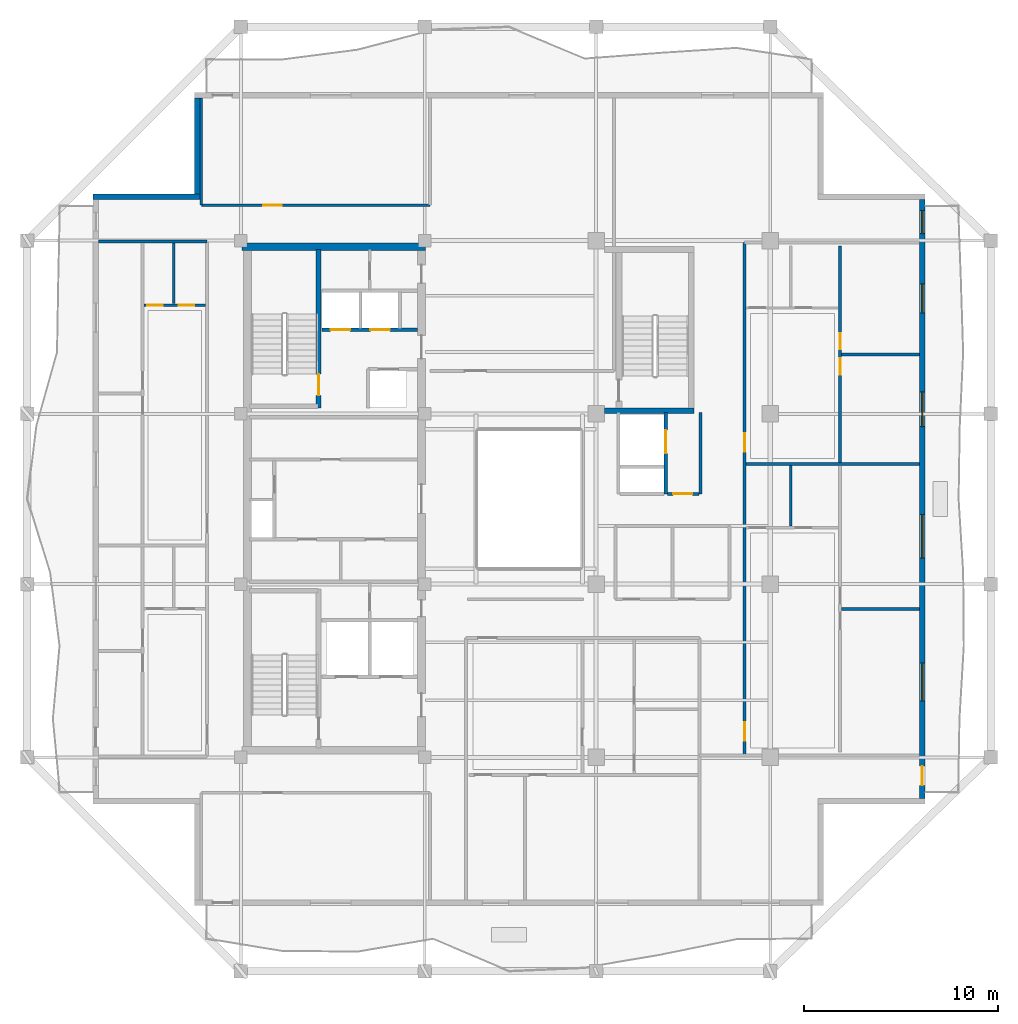
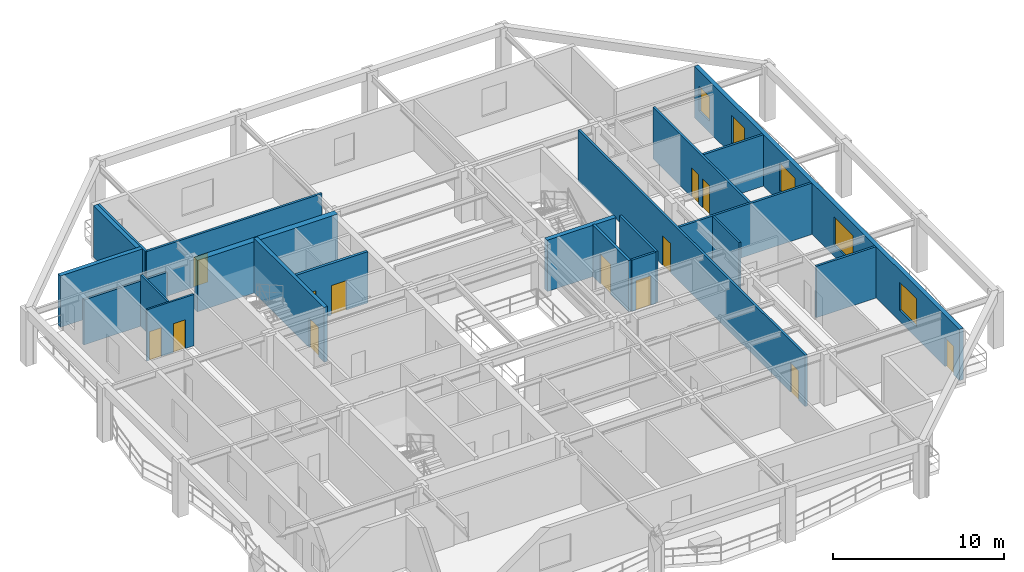
# One storey, part 5 of 12: 21 walls, 13 doors, 5 windows, 18 openings.
"""IFC4 building model written with IfcOpenShell, lengths in metres."""

from ifc_helpers import new_model, si_unit, direction, frame, frame_2d, origin, place, context, subcontext, project, spatial, rectangle, extrude, material, layer, layer_set, type_object, element, fill, save


model = new_model("IFC4")

# Units and contexts
model_context = context("Model", 3, precision=1e-05, world=origin(), true_north=direction((0.0, 1.0)))
body_context = subcontext(model_context, "Body", "Model", "MODEL_VIEW")
ifc_project = project(units=[si_unit("LENGTHUNIT", "METRE"), si_unit("AREAUNIT", "SQUARE_METRE"), si_unit("VOLUMEUNIT", "CUBIC_METRE"), si_unit("PLANEANGLEUNIT", "RADIAN"), si_unit("MASSUNIT", "GRAM", prefix="KILO")], contexts=[model_context])

# Site, building, storey
site_placement = place(None, origin())
site = spatial("IfcSite", under=ifc_project, at=site_placement, CompositionType="ELEMENT")
building_placement = place(site_placement, origin())
building = spatial("IfcBuilding", under=site, at=building_placement, Name="Kundavana Baori Tower", CompositionType="ELEMENT")
storey_placement = place(building_placement, frame((0.0, 0.0, 237.5)))
storey = spatial("IfcBuildingStorey", under=building, at=storey_placement, Name="L58", CompositionType="ELEMENT", Elevation=237.5)

# Wall
ifc_material_1 = material(Name="Concrete C50/60", Category="concrete")
ifc_layer_1 = layer(ifc_material_1, 0.39990234375, Name="WL-CORE-400")
ifc_layer_set_1 = layer_set([ifc_layer_1], Name="Concrete C50/60")
wall_type_1 = type_object("IfcWallType", Name="WL-CORE-400", PredefinedType="SHEAR", material=ifc_layer_set_1)
wall_1_placement = place(storey_placement, frame((15.5, 41.639892578125, 0.0), z_axis=(0.0, 0.0, 1.0), x_axis=(1.0, 0.0, 0.0)))
element("IfcWall", 1, at=wall_1_placement, inside=storey, type_object=wall_type_1, Name="L58 Offset Core North Shear Wall", PredefinedType="SHEAR", context=body_context, shape_type="SweptSolid", body=[
    extrude(rectangle(XDim=9.47998046875, YDim=0.39990234375, at=frame_2d((4.739990234375, 0.0))), origin(), (0.0, 0.0, 1.0), 3.659912109375),
])

# Wall, opening, door
wall_2_placement = place(storey_placement, frame((19.4599609375, 33.300048828125, 0.0), z_axis=(0.0, 0.0, 1.0), x_axis=(0.0, 1.0, 0.0)))
wall_2 = element("IfcWall", 2, at=wall_2_placement, inside=storey, type_object=wall_type_1, Name="WL-L58-ST2-E", PredefinedType="SHEAR", context=body_context, shape_type="SweptSolid", body=[
    extrude(rectangle(XDim=8.179931640625, YDim=0.239990234375, at=frame_2d((4.08984375, 0.0))), origin(), (0.0, 0.0, 1.0), 3.89990234375),
])
opening_1_placement = place(wall_2_placement, frame((0.64990234375, 0.0, 0.0)))
opening_1 = element("IfcOpeningElement", 3, at=opening_1_placement, cuts=wall_2, Name="Opening FD-110", PredefinedType="OPENING", context=body_context, shape_type="SweptSolid", body=[
    extrude(rectangle(XDim=1.10009765625, YDim=2.10009765625, at=frame_2d((0.550048828125, 1.050048828125))), frame((0.0, 0.1298828125, 0.0), z_axis=(0.0, -1.0, 0.0), x_axis=(1.0, 0.0, 0.0)), (0.0, 0.0, 1.0), 0.260009765625),
])
ifc_material_2 = material(Name="Galvanised Steel Fire-Rated Door Leaf", Category="steel")
door_type_1 = type_object("IfcDoorType", Name="DR-FD120-1100", OperationType="NOTDEFINED", PredefinedType="DOOR", material=ifc_material_2)
door_1_placement = place(opening_1_placement, origin())
door_1 = element("IfcDoor", 4, at=door_1_placement, inside=storey, type_object=door_type_1, Name="DR-L58-ST2", OperationType="SINGLE_SWING_RIGHT", OverallHeight=2.10009765625, OverallWidth=1.10009765625, PredefinedType="DOOR", context=body_context, shape_type="SweptSolid", body=[
    extrude(rectangle(XDim=1.10009765625, YDim=2.10009765625, at=frame_2d((0.550048828125, 1.050048828125))), frame((0.0, 0.02490234375, 0.0), z_axis=(0.0, -1.0, 0.0), x_axis=(1.0, 0.0, 0.0)), (0.0, 0.0, 1.0), 0.050048828125),
])
fill(opening_1, door_1)

# Wall, openings, door, windows
ifc_material_3 = material(Name="Red-Buff Dholpur Sandstone Cladding on Concrete C40/50", Category="masonry")
ifc_layer_2 = layer(ifc_material_3, 0.280029296875, Name="WL-EXT-SAND-280")
ifc_layer_set_2 = layer_set([ifc_layer_2], Name="Red-Buff Dholpur Sandstone Cladding on Concrete C40/50")
wall_type_2 = type_object("IfcWallType", Name="WL-EXT-SAND-280", PredefinedType="STANDARD", material=ifc_layer_set_2)
wall_3_placement = place(storey_placement, frame((50.659912109375, 13.1298828125, 0.0), z_axis=(0.0, 0.0, 1.0), x_axis=(0.0, 1.0, 0.0)))
wall_3 = element("IfcWall", 5, at=wall_3_placement, inside=storey, type_object=wall_type_2, Name="L58 Exterior Insulated Facade Wall 04", PredefinedType="STANDARD", context=body_context, shape_type="SweptSolid", body=[
    extrude(rectangle(XDim=30.940185546875, YDim=0.280029296875, at=frame_2d((15.47021484375, 0.0))), origin(), (0.0, 0.0, 1.0), 3.659912109375),
])
opening_2_placement = place(wall_3_placement, frame((0.669921875, 0.0, 0.0)))
opening_2 = element("IfcOpeningElement", 6, at=opening_2_placement, cuts=wall_3, Name="Opening BD-1", PredefinedType="OPENING", context=body_context, shape_type="SweptSolid", body=[
    extrude(rectangle(XDim=1.0, YDim=2.050048828125, at=frame_2d((0.5, 1.02490234375))), frame((0.0, 0.14990234375, 0.0), z_axis=(0.0, -1.0, 0.0), x_axis=(1.0, 0.0, 0.0)), (0.0, 0.0, 1.0), 0.300048828125),
])
opening_3_placement = place(wall_3_placement, frame((5.031982421875, 0.0, 0.800048828125)))
opening_3 = element("IfcOpeningElement", 7, at=opening_3_placement, cuts=wall_3, Name="Opening W-09", PredefinedType="OPENING", context=body_context, shape_type="SweptSolid", body=[
    extrude(rectangle(XDim=1.949951171875, YDim=2.0, at=frame_2d((0.97509765625, 1.0))), frame((0.0, 0.14990234375, 0.0), z_axis=(0.0, -1.0, 0.0), x_axis=(1.0, 0.0, 0.0)), (0.0, 0.0, 1.0), 0.300048828125),
])
opening_4_placement = place(wall_3_placement, frame((12.407958984375, 0.0, 0.800048828125)))
opening_4 = element("IfcOpeningElement", 8, at=opening_4_placement, cuts=wall_3, Name="Opening W-10", PredefinedType="OPENING", context=body_context, shape_type="SweptSolid", body=[
    extrude(rectangle(XDim=2.25, YDim=2.0, at=frame_2d((1.125, 1.0))), frame((0.0, 0.14990234375, 0.0), z_axis=(0.0, -1.0, 0.0), x_axis=(1.0, 0.0, 0.0)), (0.0, 0.0, 1.0), 0.300048828125),
])
opening_5_placement = place(wall_3_placement, frame((19.20703125, 0.0, 0.800048828125)))
opening_5 = element("IfcOpeningElement", 9, at=opening_5_placement, cuts=wall_3, Name="Opening W-01", PredefinedType="OPENING", context=body_context, shape_type="SweptSolid", body=[
    extrude(rectangle(XDim=1.800048828125, YDim=2.0, at=frame_2d((0.89990234375, 1.0))), frame((0.0, 0.14990234375, 0.0), z_axis=(0.0, -1.0, 0.0), x_axis=(1.0, 0.0, 0.0)), (0.0, 0.0, 1.0), 0.300048828125),
])
opening_6_placement = place(wall_3_placement, frame((25.08203125, 0.0, 0.800048828125)))
opening_6 = element("IfcOpeningElement", 10, at=opening_6_placement, cuts=wall_3, Name="Opening W-02", PredefinedType="OPENING", context=body_context, shape_type="SweptSolid", body=[
    extrude(rectangle(XDim=1.5, YDim=2.0, at=frame_2d((0.75, 1.0))), frame((0.0, 0.14990234375, 0.0), z_axis=(0.0, -1.0, 0.0), x_axis=(1.0, 0.0, 0.0)), (0.0, 0.0, 1.0), 0.300048828125),
])
opening_7_placement = place(wall_3_placement, frame((29.175048828125, 0.0, 0.800048828125)))
opening_7 = element("IfcOpeningElement", 11, at=opening_7_placement, cuts=wall_3, Name="Opening W-03", PredefinedType="OPENING", context=body_context, shape_type="SweptSolid", body=[
    extrude(rectangle(XDim=1.199951171875, YDim=1.75, at=frame_2d((0.60009765625, 0.875))), frame((0.0, 0.14990234375, 0.0), z_axis=(0.0, -1.0, 0.0), x_axis=(1.0, 0.0, 0.0)), (0.0, 0.0, 1.0), 0.300048828125),
])
ifc_material_4 = material(Name="Architectural Patinated Bronze Metalwork")
door_type_2 = type_object("IfcDoorType", Name="DR-EXT-LOG-1000", OperationType="NOTDEFINED", PredefinedType="DOOR", material=ifc_material_4)
door_2_placement = place(opening_2_placement, frame((1.0, 0.0, 0.0), z_axis=(0.0, 0.0, 1.0), x_axis=(-1.0, 0.0, 0.0)))
door_2 = element("IfcDoor", 12, at=door_2_placement, inside=storey, type_object=door_type_2, Name="L58 Loggia Balcony Access Door E", OperationType="SINGLE_SWING_RIGHT", OverallHeight=2.050048828125, OverallWidth=1.0, PredefinedType="DOOR", context=body_context, shape_type="SweptSolid", body=[
    extrude(rectangle(XDim=1.0, YDim=2.050048828125, at=frame_2d((0.5, 1.02490234375))), frame((0.0, 0.02490234375, 0.0), z_axis=(0.0, -1.0, 0.0), x_axis=(1.0, 0.0, 0.0)), (0.0, 0.0, 1.0), 0.050048828125),
])
fill(opening_2, door_2)
ifc_material_5 = material(Name="Double-Glazed Solar-Control Low-E Insulated Glass", Category="glass")
window_type_1 = type_object("IfcWindowType", Name="WIN-LOG-1200x1750", PartitioningType="SINGLE_PANEL", PredefinedType="WINDOW", material=ifc_material_5)
window_1_placement = place(opening_7_placement, origin())
window_1 = element("IfcWindow", 13, at=window_1_placement, inside=storey, type_object=window_type_1, Name="L58 Recessed Loggia Window E-6", OverallHeight=1.75, OverallWidth=1.199951171875, PartitioningType="SINGLE_PANEL", PredefinedType="WINDOW", context=body_context, shape_type="SweptSolid", body=[
    extrude(rectangle(XDim=1.199951171875, YDim=1.75, at=frame_2d((0.60009765625, 0.875))), frame((0.0, 0.030029296875, 0.0), z_axis=(0.0, -1.0, 0.0), x_axis=(1.0, 0.0, 0.0)), (0.0, 0.0, 1.0), 0.06005859375),
])
fill(opening_7, window_1)
ifc_material_6 = material(Name="Double-Glazed Solar-Control Low-E Insulated Glass", Category="glass")
window_type_2 = type_object("IfcWindowType", Name="WIN-LOG-1500x2000", PartitioningType="SINGLE_PANEL", PredefinedType="WINDOW", material=ifc_material_6)
window_2_placement = place(opening_6_placement, origin())
window_2 = element("IfcWindow", 14, at=window_2_placement, inside=storey, type_object=window_type_2, Name="L58 Recessed Loggia Window E-5", OverallHeight=2.0, OverallWidth=1.5, PartitioningType="SINGLE_PANEL", PredefinedType="WINDOW", context=body_context, shape_type="SweptSolid", body=[
    extrude(rectangle(XDim=1.5, YDim=2.0, at=frame_2d((0.75, 1.0))), frame((0.0, 0.030029296875, 0.0), z_axis=(0.0, -1.0, 0.0), x_axis=(1.0, 0.0, 0.0)), (0.0, 0.0, 1.0), 0.06005859375),
])
fill(opening_6, window_2)
ifc_material_7 = material(Name="Double-Glazed Solar-Control Low-E Insulated Glass", Category="glass")
window_type_3 = type_object("IfcWindowType", Name="WIN-LOG-1800x2000", PartitioningType="SINGLE_PANEL", PredefinedType="WINDOW", material=ifc_material_7)
window_3_placement = place(opening_5_placement, origin())
window_3 = element("IfcWindow", 15, at=window_3_placement, inside=storey, type_object=window_type_3, Name="L58 Recessed Loggia Window E-4", OverallHeight=2.0, OverallWidth=1.800048828125, PartitioningType="SINGLE_PANEL", PredefinedType="WINDOW", context=body_context, shape_type="SweptSolid", body=[
    extrude(rectangle(XDim=1.800048828125, YDim=2.0, at=frame_2d((0.89990234375, 1.0))), frame((0.0, 0.030029296875, 0.0), z_axis=(0.0, -1.0, 0.0), x_axis=(1.0, 0.0, 0.0)), (0.0, 0.0, 1.0), 0.06005859375),
])
fill(opening_5, window_3)
ifc_material_8 = material(Name="Double-Glazed Solar-Control Low-E Insulated Glass", Category="glass")
window_type_4 = type_object("IfcWindowType", Name="WIN-LOG-1950x2000", PartitioningType="SINGLE_PANEL", PredefinedType="WINDOW", material=ifc_material_8)
window_4_placement = place(opening_3_placement, origin())
window_4 = element("IfcWindow", 16, at=window_4_placement, inside=storey, type_object=window_type_4, Name="L58 Recessed Loggia Window E-2", OverallHeight=2.0, OverallWidth=1.949951171875, PartitioningType="SINGLE_PANEL", PredefinedType="WINDOW", context=body_context, shape_type="SweptSolid", body=[
    extrude(rectangle(XDim=1.949951171875, YDim=2.0, at=frame_2d((0.97509765625, 1.0))), frame((0.0, 0.030029296875, 0.0), z_axis=(0.0, -1.0, 0.0), x_axis=(1.0, 0.0, 0.0)), (0.0, 0.0, 1.0), 0.06005859375),
])
fill(opening_3, window_4)
ifc_material_9 = material(Name="Double-Glazed Solar-Control Low-E Insulated Glass", Category="glass")
window_type_5 = type_object("IfcWindowType", Name="WIN-LOG-2250x2000", PartitioningType="SINGLE_PANEL", PredefinedType="WINDOW", material=ifc_material_9)
window_5_placement = place(opening_4_placement, origin())
window_5 = element("IfcWindow", 17, at=window_5_placement, inside=storey, type_object=window_type_5, Name="L58 Recessed Loggia Window E-3", OverallHeight=2.0, OverallWidth=2.25, PartitioningType="SINGLE_PANEL", PredefinedType="WINDOW", context=body_context, shape_type="SweptSolid", body=[
    extrude(rectangle(XDim=2.25, YDim=2.0, at=frame_2d((1.125, 1.0))), frame((0.0, 0.030029296875, 0.0), z_axis=(0.0, -1.0, 0.0), x_axis=(1.0, 0.0, 0.0)), (0.0, 0.0, 1.0), 0.06005859375),
])
fill(opening_4, window_5)

# Walls
wall_4_placement = place(storey_placement, frame((13.18994140625, 49.320068359375, 0.0), z_axis=(0.0, 0.0, 1.0), x_axis=(0.0, -1.0, 0.0)))
element("IfcWall", 18, at=wall_4_placement, inside=storey, type_object=wall_type_2, Name="L58 Exterior Insulated Facade Wall 08", PredefinedType="STANDARD", context=body_context, shape_type="SweptSolid", body=[
    extrude(rectangle(XDim=4.969970703125, YDim=0.280029296875, at=frame_2d((2.48486328125, 0.0))), origin(), (0.0, 0.0, 1.0), 3.659912109375),
])
wall_5_placement = place(storey_placement, frame((13.330078125, 44.2099609375, 0.0), z_axis=(0.0, 0.0, 1.0), x_axis=(-1.0, 0.0, 0.0)))
element("IfcWall", 19, at=wall_5_placement, inside=storey, type_object=wall_type_2, Name="L58 Exterior Insulated Facade Wall 09", PredefinedType="STANDARD", context=body_context, shape_type="SweptSolid", body=[
    extrude(rectangle(XDim=5.530029296875, YDim=0.280029296875, at=frame_2d((2.76513671875, 0.0))), origin(), (0.0, 0.0, 1.0), 3.659912109375),
])
ifc_material_10 = material(Name="Fire-Rated Gypsum Drywall on Galvanised Steel Studs", Category="steel")
ifc_layer_3 = layer(ifc_material_10, 0.14990234375, Name="WL-PART-150")
ifc_layer_set_3 = layer_set([ifc_layer_3], Name="Fire-Rated Gypsum Drywall on Galvanised Steel Studs")
wall_type_3 = type_object("IfcWallType", Name="WL-PART-150", PredefinedType="PARTITIONING", material=ifc_layer_set_3)
wall_6_placement = place(storey_placement, frame((39.199951171875, 28.860107421875, 0.0), z_axis=(0.0, 0.0, 1.0), x_axis=(0.0, 1.0, 0.0)))
element("IfcWall", 20, at=wall_6_placement, inside=storey, type_object=wall_type_3, Name="WL-L58-SVLOB-E", PredefinedType="PARTITIONING", context=body_context, shape_type="SweptSolid", body=[
    extrude(rectangle(XDim=4.219970703125, YDim=0.14990234375, at=frame_2d((2.10986328125, 0.0))), origin(), (0.0, 0.0, 1.0), 3.659912109375),
])

# Wall, opening, door
wall_7_placement = place(storey_placement, frame((37.47998046875, 28.860107421875, 0.0), z_axis=(0.0, 0.0, 1.0), x_axis=(1.0, 0.0, 0.0)))
wall_7 = element("IfcWall", 21, at=wall_7_placement, inside=storey, type_object=wall_type_3, Name="WL-L58-SVLOB-S", PredefinedType="PARTITIONING", context=body_context, shape_type="SweptSolid", body=[
    extrude(rectangle(XDim=1.64013671875, YDim=0.14990234375, at=frame_2d((0.820068359375, 0.0))), origin(), (0.0, 0.0, 1.0), 3.659912109375),
])
opening_8_placement = place(wall_7_placement, frame((0.300048828125, 0.0, 0.0)))
opening_8 = element("IfcOpeningElement", 22, at=opening_8_placement, cuts=wall_7, Name="Opening FD-100", PredefinedType="OPENING", context=body_context, shape_type="SweptSolid", body=[
    extrude(rectangle(XDim=1.0, YDim=2.10009765625, at=frame_2d((0.5, 1.050048828125))), frame((0.0, 0.0849609375, 0.0), z_axis=(0.0, -1.0, 0.0), x_axis=(1.0, 0.0, 0.0)), (0.0, 0.0, 1.0), 0.169921875),
])
ifc_material_11 = material(Name="Engineered Teak Fire-Rated Timber Door Leaf", Category="wood")
door_type_3 = type_object("IfcDoorType", Name="DR-FD60-1000", OperationType="NOTDEFINED", PredefinedType="DOOR", material=ifc_material_11)
door_3_placement = place(opening_8_placement, origin())
door_3 = element("IfcDoor", 23, at=door_3_placement, inside=storey, type_object=door_type_3, Name="DR-L58-SVLOB-OUT", OperationType="SINGLE_SWING_LEFT", OverallHeight=2.10009765625, OverallWidth=1.0, PredefinedType="DOOR", context=body_context, shape_type="SweptSolid", body=[
    extrude(rectangle(XDim=1.0, YDim=2.10009765625, at=frame_2d((0.5, 1.050048828125))), frame((0.0, 0.02490234375, 0.0), z_axis=(0.0, -1.0, 0.0), x_axis=(1.0, 0.0, 0.0)), (0.0, 0.0, 1.0), 0.050048828125),
])
fill(opening_8, door_3)

wall_8_placement = place(storey_placement, frame((13.39990234375, 43.780029296875, 0.0), z_axis=(0.0, 0.0, 1.0), x_axis=(1.0, 0.0, 0.0)))
wall_8 = element("IfcWall", 24, at=wall_8_placement, inside=storey, type_object=wall_type_3, Name="WL-L58-RNC", PredefinedType="PARTITIONING", context=body_context, shape_type="SweptSolid", body=[
    extrude(rectangle(XDim=11.820068359375, YDim=0.14990234375, at=frame_2d((5.91015625, 0.0))), origin(), (0.0, 0.0, 1.0), 3.659912109375),
])
opening_9_placement = place(wall_8_placement, frame((3.199951171875, 0.0, 0.0)))
opening_9 = element("IfcOpeningElement", 25, at=opening_9_placement, cuts=wall_8, Name="Opening ID-095", PredefinedType="OPENING", context=body_context, shape_type="SweptSolid", body=[
    extrude(rectangle(XDim=0.949951171875, YDim=2.080078125, at=frame_2d((0.47509765625, 1.0400390625))), frame((0.0, 0.0849609375, 0.0), z_axis=(0.0, -1.0, 0.0), x_axis=(1.0, 0.0, 0.0)), (0.0, 0.0, 1.0), 0.169921875),
])
ifc_material_12 = material(Name="Engineered Teak Solid-Core Timber Veneer", Category="wood")
door_type_4 = type_object("IfcDoorType", Name="DR-INT-950", OperationType="NOTDEFINED", PredefinedType="DOOR", material=ifc_material_12)
door_4_placement = place(opening_9_placement, origin())
door_4 = element("IfcDoor", 26, at=door_4_placement, inside=storey, type_object=door_type_4, Name="DR-L58-RMNW", OperationType="SINGLE_SWING_RIGHT", OverallHeight=2.080078125, OverallWidth=0.949951171875, PredefinedType="DOOR", context=body_context, shape_type="SweptSolid", body=[
    extrude(rectangle(XDim=0.949951171875, YDim=2.080078125, at=frame_2d((0.47509765625, 1.0400390625))), frame((0.0, 0.02490234375, 0.0), z_axis=(0.0, -1.0, 0.0), x_axis=(1.0, 0.0, 0.0)), (0.0, 0.0, 1.0), 0.050048828125),
])
fill(opening_9, door_4)

# Walls
wall_9_placement = place(storey_placement, frame((13.39990234375, 43.780029296875, 0.0), z_axis=(0.0, 0.0, 1.0), x_axis=(0.0, 1.0, 0.0)))
element("IfcWall", 27, at=wall_9_placement, inside=storey, type_object=wall_type_3, Name="WL-L58-RNCW", PredefinedType="PARTITIONING", context=body_context, shape_type="SweptSolid", body=[
    extrude(rectangle(XDim=5.5400390625, YDim=0.14990234375, at=frame_2d((2.77001953125, 0.0))), origin(), (0.0, 0.0, 1.0), 3.659912109375),
])
wall_10_placement = place(storey_placement, frame((8.080078125, 41.89990234375, 0.0), z_axis=(0.0, 0.0, 1.0), x_axis=(1.0, 0.0, 0.0)))
element("IfcWall", 28, at=wall_10_placement, inside=storey, type_object=wall_type_3, Name="WL-L58-RWN", PredefinedType="PARTITIONING", context=body_context, shape_type="SweptSolid", body=[
    extrude(rectangle(XDim=5.619873046875, YDim=0.14990234375, at=frame_2d((2.81005859375, 0.0))), origin(), (0.0, 0.0, 1.0), 3.2099609375),
])

# Wall, openings, doors
wall_11_placement = place(storey_placement, frame((41.47998046875, 15.35009765625, 0.0), z_axis=(0.0, 0.0, 1.0), x_axis=(0.0, 1.0, 0.0)))
wall_11 = element("IfcWall", 29, at=wall_11_placement, inside=storey, type_object=wall_type_3, Name="WL-L58-RE", PredefinedType="PARTITIONING", context=body_context, shape_type="SweptSolid", body=[
    extrude(rectangle(XDim=26.5, YDim=0.14990234375, at=frame_2d((13.25, 0.0))), origin(), (0.0, 0.0, 1.0), 3.659912109375),
])
opening_10_placement = place(wall_11_placement, frame((0.75, 0.0, 0.0)))
opening_10 = element("IfcOpeningElement", 30, at=opening_10_placement, cuts=wall_11, Name="Opening FD-095", PredefinedType="OPENING", context=body_context, shape_type="SweptSolid", body=[
    extrude(rectangle(XDim=0.949951171875, YDim=2.10009765625, at=frame_2d((0.47509765625, 1.050048828125))), frame((0.0, 0.0849609375, 0.0), z_axis=(0.0, -1.0, 0.0), x_axis=(1.0, 0.0, 0.0)), (0.0, 0.0, 1.0), 0.169921875),
])
opening_11_placement = place(wall_11_placement, frame((15.699951171875, 0.0, 0.0)))
opening_11 = element("IfcOpeningElement", 31, at=opening_11_placement, cuts=wall_11, Name="Opening FD-095", PredefinedType="OPENING", context=body_context, shape_type="SweptSolid", body=[
    extrude(rectangle(XDim=0.949951171875, YDim=2.10009765625, at=frame_2d((0.47509765625, 1.050048828125))), frame((0.0, 0.0849609375, 0.0), z_axis=(0.0, -1.0, 0.0), x_axis=(1.0, 0.0, 0.0)), (0.0, 0.0, 1.0), 0.169921875),
])
ifc_material_13 = material(Name="Engineered Teak Fire-Rated Timber Door Leaf", Category="wood")
door_type_5 = type_object("IfcDoorType", Name="DR-FD60-950", OperationType="NOTDEFINED", PredefinedType="DOOR", material=ifc_material_13)
door_5_placement = place(opening_10_placement, origin())
door_5 = element("IfcDoor", 32, at=door_5_placement, inside=storey, type_object=door_type_5, Name="DR-L58-E1-ENT", OperationType="SINGLE_SWING_LEFT", OverallHeight=2.10009765625, OverallWidth=0.949951171875, PredefinedType="DOOR", context=body_context, shape_type="SweptSolid", body=[
    extrude(rectangle(XDim=0.949951171875, YDim=2.10009765625, at=frame_2d((0.47509765625, 1.050048828125))), frame((0.0, 0.02490234375, 0.0), z_axis=(0.0, -1.0, 0.0), x_axis=(1.0, 0.0, 0.0)), (0.0, 0.0, 1.0), 0.050048828125),
])
fill(opening_10, door_5)
door_6_placement = place(opening_11_placement, origin())
door_6 = element("IfcDoor", 33, at=door_6_placement, inside=storey, type_object=door_type_5, Name="DR-L58-E2-ENT", OperationType="SINGLE_SWING_LEFT", OverallHeight=2.10009765625, OverallWidth=0.949951171875, PredefinedType="DOOR", context=body_context, shape_type="SweptSolid", body=[
    extrude(rectangle(XDim=0.949951171875, YDim=2.10009765625, at=frame_2d((0.47509765625, 1.050048828125))), frame((0.0, 0.02490234375, 0.0), z_axis=(0.0, -1.0, 0.0), x_axis=(1.0, 0.0, 0.0)), (0.0, 0.0, 1.0), 0.050048828125),
])
fill(opening_11, door_6)

# Walls
wall_12_placement = place(storey_placement, frame((46.488037109375, 22.925048828125, 0.0), z_axis=(0.0, 0.0, 1.0), x_axis=(1.0, 0.0, 0.0)))
element("IfcWall", 34, at=wall_12_placement, inside=storey, type_object=wall_type_3, Name="WL-L58-E1-BDH", PredefinedType="PARTITIONING", context=body_context, shape_type="SweptSolid", body=[
    extrude(rectangle(XDim=4.031982421875, YDim=0.14990234375, at=frame_2d((2.01611328125, 0.0))), origin(), (0.0, 0.0, 1.0), 3.659912109375),
])
wall_13_placement = place(storey_placement, frame((41.56005859375, 30.39990234375, 0.0), z_axis=(0.0, 0.0, 1.0), x_axis=(1.0, 0.0, 0.0)))
element("IfcWall", 35, at=wall_13_placement, inside=storey, type_object=wall_type_3, Name="WL-L58-RED1", PredefinedType="PARTITIONING", context=body_context, shape_type="SweptSolid", body=[
    extrude(rectangle(XDim=8.9599609375, YDim=0.14990234375, at=frame_2d((4.47998046875, 0.0))), origin(), (0.0, 0.0, 1.0), 3.659912109375),
])

# Wall, openings, doors
wall_14_placement = place(storey_placement, frame((46.407958984375, 30.47998046875, 0.0), z_axis=(0.0, 0.0, 1.0), x_axis=(0.0, 1.0, 0.0)))
wall_14 = element("IfcWall", 36, at=wall_14_placement, inside=storey, type_object=wall_type_3, Name="WL-L58-E2-VT", PredefinedType="PARTITIONING", context=body_context, shape_type="SweptSolid", body=[
    extrude(rectangle(XDim=11.18994140625, YDim=0.14990234375, at=frame_2d((5.594970703125, 0.0))), origin(), (0.0, 0.0, 1.0), 3.659912109375),
])
opening_12_placement = place(wall_14_placement, frame((4.544921875, 0.0, 0.0)))
opening_12 = element("IfcOpeningElement", 37, at=opening_12_placement, cuts=wall_14, Name="Opening ID-085", PredefinedType="OPENING", context=body_context, shape_type="SweptSolid", body=[
    extrude(rectangle(XDim=0.85009765625, YDim=2.080078125, at=frame_2d((0.425048828125, 1.0400390625))), frame((0.0, 0.0849609375, 0.0), z_axis=(0.0, -1.0, 0.0), x_axis=(1.0, 0.0, 0.0)), (0.0, 0.0, 1.0), 0.169921875),
])
opening_13_placement = place(wall_14_placement, frame((5.844970703125, 0.0, 0.0)))
opening_13 = element("IfcOpeningElement", 38, at=opening_13_placement, cuts=wall_14, Name="Opening ID-085", PredefinedType="OPENING", context=body_context, shape_type="SweptSolid", body=[
    extrude(rectangle(XDim=0.85009765625, YDim=2.080078125, at=frame_2d((0.425048828125, 1.0400390625))), frame((0.0, 0.0849609375, 0.0), z_axis=(0.0, -1.0, 0.0), x_axis=(1.0, 0.0, 0.0)), (0.0, 0.0, 1.0), 0.169921875),
])
ifc_material_14 = material(Name="Engineered Teak Solid-Core Timber Veneer", Category="wood")
door_type_6 = type_object("IfcDoorType", Name="DR-INT-850", OperationType="NOTDEFINED", PredefinedType="DOOR", material=ifc_material_14)
door_7_placement = place(opening_12_placement, origin())
door_7 = element("IfcDoor", 39, at=door_7_placement, inside=storey, type_object=door_type_6, Name="DR-L58-E2-B1", OperationType="SINGLE_SWING_LEFT", OverallHeight=2.080078125, OverallWidth=0.85009765625, PredefinedType="DOOR", context=body_context, shape_type="SweptSolid", body=[
    extrude(rectangle(XDim=0.85009765625, YDim=2.080078125, at=frame_2d((0.425048828125, 1.0400390625))), frame((0.0, 0.02490234375, 0.0), z_axis=(0.0, -1.0, 0.0), x_axis=(1.0, 0.0, 0.0)), (0.0, 0.0, 1.0), 0.050048828125),
])
fill(opening_12, door_7)
door_8_placement = place(opening_13_placement, origin())
door_8 = element("IfcDoor", 40, at=door_8_placement, inside=storey, type_object=door_type_6, Name="DR-L58-E2-B2", OperationType="SINGLE_SWING_RIGHT", OverallHeight=2.080078125, OverallWidth=0.85009765625, PredefinedType="DOOR", context=body_context, shape_type="SweptSolid", body=[
    extrude(rectangle(XDim=0.85009765625, YDim=2.080078125, at=frame_2d((0.425048828125, 1.0400390625))), frame((0.0, 0.02490234375, 0.0), z_axis=(0.0, -1.0, 0.0), x_axis=(1.0, 0.0, 0.0)), (0.0, 0.0, 1.0), 0.050048828125),
])
fill(opening_13, door_8)

# Wall
wall_15_placement = place(storey_placement, frame((46.488037109375, 36.074951171875, 0.0), z_axis=(0.0, 0.0, 1.0), x_axis=(1.0, 0.0, 0.0)))
element("IfcWall", 41, at=wall_15_placement, inside=storey, type_object=wall_type_3, Name="WL-L58-E2-BDH", PredefinedType="PARTITIONING", context=body_context, shape_type="SweptSolid", body=[
    extrude(rectangle(XDim=4.031982421875, YDim=0.14990234375, at=frame_2d((2.01611328125, 0.0))), origin(), (0.0, 0.0, 1.0), 3.659912109375),
])

# Wall, openings, doors
ifc_material_15 = material(Name="Autoclaved Aerated Concrete Blockwork Masonry", Category="masonry")
ifc_layer_4 = layer(ifc_material_15, 0.179931640625, Name="WL-SHAFT-180")
ifc_layer_set_4 = layer_set([ifc_layer_4], Name="Autoclaved Aerated Concrete Blockwork Masonry")
wall_type_4 = type_object("IfcWallType", Name="WL-SHAFT-180", PredefinedType="SOLIDWALL", material=ifc_layer_set_4)
wall_16_placement = place(storey_placement, frame((19.639892578125, 37.340087890625, 0.0), z_axis=(0.0, 0.0, 1.0), x_axis=(1.0, 0.0, 0.0)))
wall_16 = element("IfcWall", 42, at=wall_16_placement, inside=storey, type_object=wall_type_4, Name="WL-L58-HRLOB-N", PredefinedType="SOLIDWALL", context=body_context, shape_type="SweptSolid", body=[
    extrude(rectangle(XDim=4.940185546875, YDim=0.179931640625, at=frame_2d((2.47021484375, 0.0))), origin(), (0.0, 0.0, 1.0), 3.659912109375),
])
opening_14_placement = place(wall_16_placement, frame((0.449951171875, 0.0, 0.0)))
opening_14 = element("IfcOpeningElement", 43, at=opening_14_placement, cuts=wall_16, Name="Opening LD-100", PredefinedType="OPENING", context=body_context, shape_type="SweptSolid", body=[
    extrude(rectangle(XDim=1.0, YDim=2.10009765625, at=frame_2d((0.5, 1.050048828125))), frame((0.0, 0.10009765625, 0.0), z_axis=(0.0, -1.0, 0.0), x_axis=(1.0, 0.0, 0.0)), (0.0, 0.0, 1.0), 0.199951171875),
])
opening_15_placement = place(wall_16_placement, frame((2.5, 0.0, 0.0)))
opening_15 = element("IfcOpeningElement", 44, at=opening_15_placement, cuts=wall_16, Name="Opening LD-100", PredefinedType="OPENING", context=body_context, shape_type="SweptSolid", body=[
    extrude(rectangle(XDim=1.0, YDim=2.10009765625, at=frame_2d((0.5, 1.050048828125))), frame((0.0, 0.10009765625, 0.0), z_axis=(0.0, -1.0, 0.0), x_axis=(1.0, 0.0, 0.0)), (0.0, 0.0, 1.0), 0.199951171875),
])
ifc_material_16 = material(Name="Galvanised Steel Fire-Rated Door Leaf", Category="steel")
door_type_7 = type_object("IfcDoorType", Name="DR-SLIDE-LD1000", OperationType="NOTDEFINED", PredefinedType="DOOR", material=ifc_material_16)
door_9_placement = place(opening_14_placement, frame((1.0, 0.0, 0.0), z_axis=(0.0, 0.0, 1.0), x_axis=(-1.0, 0.0, 0.0)))
door_9 = element("IfcDoor", 45, at=door_9_placement, inside=storey, type_object=door_type_7, Name="DR-L58-LD-LP09", OperationType="DOUBLE_DOOR_SLIDING", OverallHeight=2.10009765625, OverallWidth=1.0, PredefinedType="DOOR", context=body_context, shape_type="SweptSolid", body=[
    extrude(rectangle(XDim=1.0, YDim=2.10009765625, at=frame_2d((0.5, 1.050048828125))), frame((0.0, 0.02490234375, 0.0), z_axis=(0.0, -1.0, 0.0), x_axis=(1.0, 0.0, 0.0)), (0.0, 0.0, 1.0), 0.050048828125),
])
fill(opening_14, door_9)
door_10_placement = place(opening_15_placement, frame((1.0, 0.0, 0.0), z_axis=(0.0, 0.0, 1.0), x_axis=(-1.0, 0.0, 0.0)))
door_10 = element("IfcDoor", 46, at=door_10_placement, inside=storey, type_object=door_type_7, Name="DR-L58-LD-LP10", OperationType="DOUBLE_DOOR_SLIDING", OverallHeight=2.10009765625, OverallWidth=1.0, PredefinedType="DOOR", context=body_context, shape_type="SweptSolid", body=[
    extrude(rectangle(XDim=1.0, YDim=2.10009765625, at=frame_2d((0.5, 1.050048828125))), frame((0.0, 0.02490234375, 0.0), z_axis=(0.0, -1.0, 0.0), x_axis=(1.0, 0.0, 0.0)), (0.0, 0.0, 1.0), 0.050048828125),
])
fill(opening_15, door_10)

# Wall, opening, door
wall_17_placement = place(storey_placement, frame((37.389892578125, 28.860107421875, 0.0), z_axis=(0.0, 0.0, 1.0), x_axis=(0.0, 1.0, 0.0)))
wall_17 = element("IfcWall", 47, at=wall_17_placement, inside=storey, type_object=wall_type_4, Name="WL-L58-SVL-E", PredefinedType="SOLIDWALL", context=body_context, shape_type="SweptSolid", body=[
    extrude(rectangle(XDim=4.219970703125, YDim=0.179931640625, at=frame_2d((2.10986328125, 0.0))), origin(), (0.0, 0.0, 1.0), 3.659912109375),
])
opening_16_placement = place(wall_17_placement, frame((2.10009765625, 0.0, 0.0)))
opening_16 = element("IfcOpeningElement", 48, at=opening_16_placement, cuts=wall_17, Name="Opening LD-120", PredefinedType="OPENING", context=body_context, shape_type="SweptSolid", body=[
    extrude(rectangle(XDim=1.199951171875, YDim=2.1201171875, at=frame_2d((0.60009765625, 1.06005859375))), frame((0.0, 0.10009765625, 0.0), z_axis=(0.0, -1.0, 0.0), x_axis=(1.0, 0.0, 0.0)), (0.0, 0.0, 1.0), 0.199951171875),
])
ifc_material_17 = material(Name="Galvanised Steel Fire-Rated Door Leaf", Category="steel")
door_type_8 = type_object("IfcDoorType", Name="DR-SLIDE-LD1200", OperationType="NOTDEFINED", PredefinedType="DOOR", material=ifc_material_17)
door_11_placement = place(opening_16_placement, frame((1.199951171875, 0.0, 0.0), z_axis=(0.0, 0.0, 1.0), x_axis=(-1.0, 0.0, 0.0)))
door_11 = element("IfcDoor", 49, at=door_11_placement, inside=storey, type_object=door_type_8, Name="DR-L58-LD-SVL1", OperationType="DOUBLE_DOOR_SLIDING", OverallHeight=2.1201171875, OverallWidth=1.199951171875, PredefinedType="DOOR", context=body_context, shape_type="SweptSolid", body=[
    extrude(rectangle(XDim=1.199951171875, YDim=2.1201171875, at=frame_2d((0.60009765625, 1.06005859375))), frame((0.0, 0.02490234375, 0.0), z_axis=(0.0, -1.0, 0.0), x_axis=(1.0, 0.0, 0.0)), (0.0, 0.0, 1.0), 0.050048828125),
])
fill(opening_16, door_11)

# Wall
ifc_material_18 = material(Name="Concrete C50/60", Category="concrete")
ifc_layer_5 = layer(ifc_material_18, 0.300048828125, Name="WL-ST3-300")
ifc_layer_set_5 = layer_set([ifc_layer_5], Name="Concrete C50/60")
wall_type_5 = type_object("IfcWallType", Name="WL-ST3-300", PredefinedType="SHEAR", material=ifc_layer_set_5)
wall_18_placement = place(storey_placement, frame((34.22509765625, 33.159912109375, 0.0), z_axis=(0.0, 0.0, 1.0), x_axis=(1.0, 0.0, 0.0)))
element("IfcWall", 50, at=wall_18_placement, inside=storey, type_object=wall_type_5, Name="L58 Stair ST3 South Shear Wall", PredefinedType="SHEAR", context=body_context, shape_type="SweptSolid", body=[
    extrude(rectangle(XDim=4.64501953125, YDim=0.300048828125, at=frame_2d((2.322509765625, 0.0))), origin(), (0.0, 0.0, 1.0), 3.659912109375),
])

# Wall, openings, doors
ifc_material_19 = material(Name="Autoclaved Aerated Concrete Blockwork Masonry", Category="masonry")
ifc_layer_6 = layer(ifc_material_19, 0.125, Name="WL-WET-120")
ifc_layer_set_6 = layer_set([ifc_layer_6], Name="Autoclaved Aerated Concrete Blockwork Masonry")
wall_type_6 = type_object("IfcWallType", Name="WL-WET-120", PredefinedType="PLUMBINGWALL", material=ifc_layer_set_6)
wall_19_placement = place(storey_placement, frame((10.449951171875, 38.6201171875, 0.0), z_axis=(0.0, 0.0, 1.0), x_axis=(1.0, 0.0, 0.0)))
wall_19 = element("IfcWall", 51, at=wall_19_placement, inside=storey, type_object=wall_type_6, Name="WL-L58-W2-KH", PredefinedType="PLUMBINGWALL", context=body_context, shape_type="SweptSolid", body=[
    extrude(rectangle(XDim=3.170166015625, YDim=0.125, at=frame_2d((1.5849609375, 0.0))), origin(), (0.0, 0.0, 1.0), 3.659912109375),
])
opening_17_placement = place(wall_19_placement, frame((0.159912109375, 0.0, 0.0)))
opening_17 = element("IfcOpeningElement", 52, at=opening_17_placement, cuts=wall_19, Name="Opening WD-080", PredefinedType="OPENING", context=body_context, shape_type="SweptSolid", body=[
    extrude(rectangle(XDim=0.800048828125, YDim=2.050048828125, at=frame_2d((0.39990234375, 1.02490234375))), frame((0.0, 0.072509765625, 0.0), z_axis=(0.0, -1.0, 0.0), x_axis=(1.0, 0.0, 0.0)), (0.0, 0.0, 1.0), 0.14501953125),
])
opening_18_placement = place(wall_19_placement, frame((1.781982421875, 0.0, 0.0)))
opening_18 = element("IfcOpeningElement", 53, at=opening_18_placement, cuts=wall_19, Name="Opening WD-080", PredefinedType="OPENING", context=body_context, shape_type="SweptSolid", body=[
    extrude(rectangle(XDim=0.800048828125, YDim=2.050048828125, at=frame_2d((0.39990234375, 1.02490234375))), frame((0.0, 0.072509765625, 0.0), z_axis=(0.0, -1.0, 0.0), x_axis=(1.0, 0.0, 0.0)), (0.0, 0.0, 1.0), 0.14501953125),
])
ifc_material_20 = material(Name="Engineered Teak Solid-Core Timber Veneer", Category="wood")
door_type_9 = type_object("IfcDoorType", Name="DR-WET-800", OperationType="NOTDEFINED", PredefinedType="DOOR", material=ifc_material_20)
door_12_placement = place(opening_17_placement, origin())
door_12 = element("IfcDoor", 54, at=door_12_placement, inside=storey, type_object=door_type_9, Name="DR-L58-W2-BT", OperationType="SINGLE_SWING_LEFT", OverallHeight=2.050048828125, OverallWidth=0.800048828125, PredefinedType="DOOR", context=body_context, shape_type="SweptSolid", body=[
    extrude(rectangle(XDim=0.800048828125, YDim=2.050048828125, at=frame_2d((0.39990234375, 1.02490234375))), frame((0.0, 0.02490234375, 0.0), z_axis=(0.0, -1.0, 0.0), x_axis=(1.0, 0.0, 0.0)), (0.0, 0.0, 1.0), 0.050048828125),
])
fill(opening_17, door_12)
door_13_placement = place(opening_18_placement, origin())
door_13 = element("IfcDoor", 55, at=door_13_placement, inside=storey, type_object=door_type_9, Name="DR-L58-W2-KT", OperationType="SINGLE_SWING_RIGHT", OverallHeight=2.050048828125, OverallWidth=0.800048828125, PredefinedType="DOOR", context=body_context, shape_type="SweptSolid", body=[
    extrude(rectangle(XDim=0.800048828125, YDim=2.050048828125, at=frame_2d((0.39990234375, 1.02490234375))), frame((0.0, 0.02490234375, 0.0), z_axis=(0.0, -1.0, 0.0), x_axis=(1.0, 0.0, 0.0)), (0.0, 0.0, 1.0), 0.050048828125),
])
fill(opening_18, door_13)

# Walls
for number, where, z_axis, x_axis, name in (
    (56, (11.971923828125, 38.699951171875, 0.0), (0.0, 0.0, 1.0), (0.0, 1.0, 0.0), "WL-L58-W2-BV"),
    (57, (43.85888671875, 27.199951171875, 0.0), (0.0, 0.0, 1.0), (0.0, 1.0, 0.0), "WL-L58-E1-BV"),
):
    element("IfcWall", number, at=place(storey_placement, frame(where, z_axis=z_axis, x_axis=x_axis)), inside=storey, type_object=wall_type_6, Name=name, PredefinedType="PLUMBINGWALL", context=body_context, shape_type="SweptSolid", body=[
        extrude(rectangle(XDim=3.1201171875, YDim=0.125, at=frame_2d((1.56005859375, 0.0))), origin(), (0.0, 0.0, 1.0), 3.659912109375),
    ])

save(model, "model.ifc")
